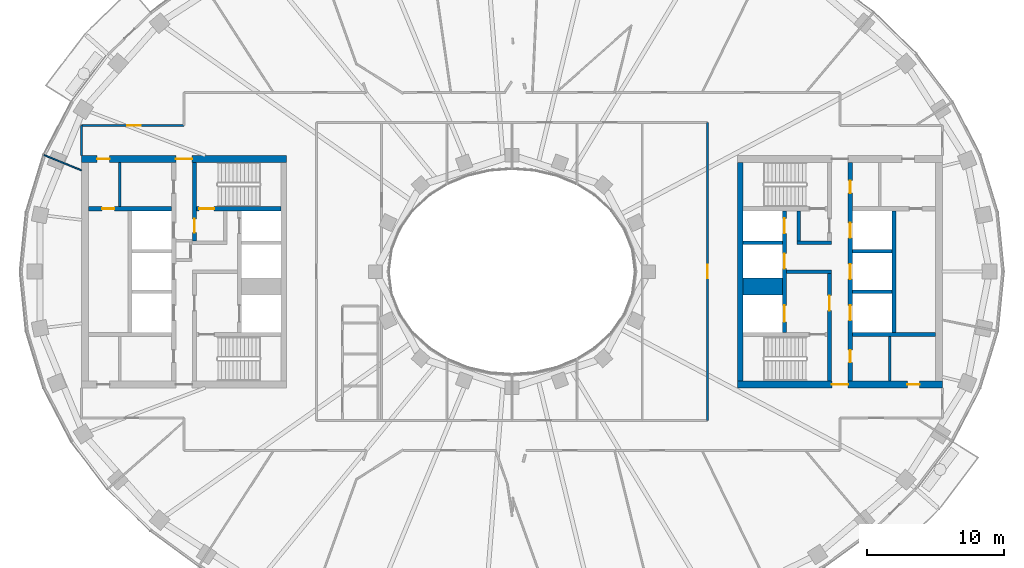
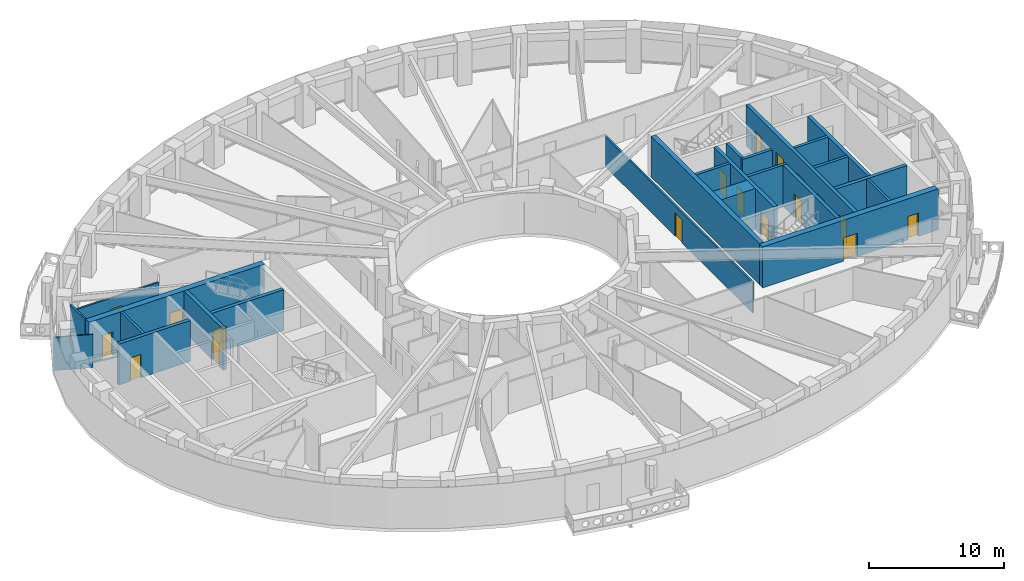
# One storey, part 5 of 16: 24 walls, 18 doors, 18 openings.
"""IFC4 building model written with IfcOpenShell, lengths in metres."""

from ifc_helpers import new_model, si_unit, direction, frame, frame_2d, origin, place, context, subcontext, project, spatial, rectangle, extrude, material, layer, layer_set, type_object, element, fill, save


model = new_model("IFC4")

# Units and contexts
model_context = context("Model", 3, precision=1e-05, world=origin(), true_north=direction((0.0, 1.0)))
body_context = subcontext(model_context, "Body", "Model", "MODEL_VIEW")
ifc_project = project(units=[si_unit("LENGTHUNIT", "METRE"), si_unit("AREAUNIT", "SQUARE_METRE"), si_unit("VOLUMEUNIT", "CUBIC_METRE"), si_unit("PLANEANGLEUNIT", "RADIAN"), si_unit("MASSUNIT", "GRAM", prefix="KILO")], contexts=[model_context])

# Site, building, storey
site_placement = place(None, origin())
site = spatial("IfcSite", under=ifc_project, at=site_placement, CompositionType="ELEMENT")
building_placement = place(site_placement, origin())
building = spatial("IfcBuilding", under=site, at=building_placement, Name="Noorbagh Ring Tower", CompositionType="ELEMENT")
storey_placement = place(building_placement, frame((0.0, 0.0, 237.5)))
storey = spatial("IfcBuildingStorey", under=building, at=storey_placement, Name="L49", CompositionType="ELEMENT", Elevation=237.5)

# Walls
ifc_material_1 = material(Name="Gypsum board on steel studs", Category="steel")
ifc_layer_1 = layer(ifc_material_1, 0.199951171875)
ifc_layer_set_1 = layer_set([ifc_layer_1], Name="Gypsum board on steel studs")
wall_type_1 = type_object("IfcWallType", Name="CORE-PARTITION-200", PredefinedType="PARTITIONING", material=ifc_layer_set_1)
for number, where, z_axis, x_axis, name in (
    (1, (-28.699951171875, 4.75, 0.0), (0.0, 0.0, 1.0), (0.0, 1.0, 0.0), "Core partition W"),
    (2, (27.64990234375, -8.0, 0.0), (0.0, 0.0, 1.0), (0.0, 1.0, 0.0), "Core partition E"),
):
    element("IfcWall", number, at=place(storey_placement, frame(where, z_axis=z_axis, x_axis=x_axis)), inside=storey, type_object=wall_type_1, Name=name, PredefinedType="PARTITIONING", context=body_context, shape_type="SweptSolid", body=[
        extrude(rectangle(XDim=3.25, YDim=0.199951171875, at=frame_2d((1.625, 0.0))), origin(), (0.0, 0.0, 1.0), 3.699951171875),
    ])
ifc_material_2 = material(Name="Concrete C60/75", Category="concrete")
ifc_layer_2 = layer(ifc_material_2, 1.25)
ifc_layer_set_2 = layer_set([ifc_layer_2], Name="Concrete C60/75")
wall_type_2 = type_object("IfcWallType", Name="CORE-WALL-1250-C60-75-EI120", PredefinedType="SHEAR", material=ifc_layer_set_2)
wall_1_placement = place(storey_placement, frame((16.89990234375, -1.074951171875, 0.0), z_axis=(0.0, 0.0, 1.0), x_axis=(1.0, 0.0, 0.0)))
element("IfcWall", 3, at=wall_1_placement, inside=storey, type_object=wall_type_2, Name="Core wall E", PredefinedType="SHEAR", context=body_context, shape_type="SweptSolid", body=[
    extrude(rectangle(XDim=2.900146484375, YDim=1.25, at=frame_2d((1.4501953125, 0.0))), origin(), (0.0, 0.0, 1.0), 3.699951171875),
])
ifc_material_3 = material(Name="Concrete C60/75", Category="concrete")
ifc_layer_3 = layer(ifc_material_3, 0.25)
ifc_layer_set_3 = layer_set([ifc_layer_3], Name="Concrete C60/75")
wall_type_3 = type_object("IfcWallType", Name="CORE-WALL-250-C60-75-EI120", PredefinedType="SHEAR", material=ifc_layer_set_3)
for number, where, z_axis, x_axis, name in (
    (4, (16.89990234375, 2.125, 0.0), (0.0, 0.0, 1.0), (1.0, 0.0, 0.0), "Core wall E"),
    (5, (24.89990234375, -1.47509765625, 0.0), (0.0, 0.0, 1.0), (1.0, 0.0, 0.0), "Core wall E"),
    (6, (24.89990234375, 1.47509765625, 0.0), (0.0, 0.0, 1.0), (1.0, 0.0, 0.0), "Core wall E"),
):
    element("IfcWall", number, at=place(storey_placement, frame(where, z_axis=z_axis, x_axis=x_axis)), inside=storey, type_object=wall_type_3, Name=name, PredefinedType="SHEAR", context=body_context, shape_type="SweptSolid", body=[
        extrude(rectangle(XDim=2.900146484375, YDim=0.25, at=frame_2d((1.4501953125, 0.0))), origin(), (0.0, 0.0, 1.0), 3.699951171875),
    ])
ifc_material_4 = material(Name="Concrete C60/75", Category="concrete")
ifc_layer_4 = layer(ifc_material_4, 0.25)
ifc_layer_set_4 = layer_set([ifc_layer_4], Name="Concrete C60/75")
wall_type_4 = type_object("IfcWallType", Name="CORE-WALL-250-C60-75-EI240", PredefinedType="SHEAR", material=ifc_layer_set_4)
wall_2_placement = place(storey_placement, frame((20.10009765625, 0.0, 0.0), z_axis=(0.0, 0.0, 1.0), x_axis=(1.0, 0.0, 0.0)))
element("IfcWall", 7, at=wall_2_placement, inside=storey, type_object=wall_type_4, Name="Core wall E", PredefinedType="SHEAR", context=body_context, shape_type="SweptSolid", body=[
    extrude(rectangle(XDim=3.27978515625, YDim=0.25, at=frame_2d((1.639892578125, 0.0))), origin(), (0.0, 0.0, 1.0), 3.699951171875),
])
wall_3_placement = place(storey_placement, frame((20.85009765625, 2.125, 0.0), z_axis=(0.0, 0.0, 1.0), x_axis=(1.0, 0.0, 0.0)))
element("IfcWall", 8, at=wall_3_placement, inside=storey, type_object=wall_type_4, Name="Core wall E", PredefinedType="SHEAR", context=body_context, shape_type="SweptSolid", body=[
    extrude(rectangle(XDim=2.52978515625, YDim=0.25, at=frame_2d((1.264892578125, 0.0))), origin(), (0.0, 0.0, 1.0), 3.699951171875),
])
wall_4_placement = place(storey_placement, frame((20.97509765625, 2.25, 0.0), z_axis=(0.0, 0.0, 1.0), x_axis=(0.0, 1.0, 0.0)))
element("IfcWall", 9, at=wall_4_placement, inside=storey, type_object=wall_type_4, Name="Core wall E", PredefinedType="SHEAR", context=body_context, shape_type="SweptSolid", body=[
    extrude(rectangle(XDim=2.199951171875, YDim=0.25, at=frame_2d((1.10009765625, 0.0))), origin(), (0.0, 0.0, 1.0), 3.699951171875),
])
ifc_material_5 = material(Name="Concrete C60/75", Category="concrete")
ifc_layer_5 = layer(ifc_material_5, 0.300048828125)
ifc_layer_set_5 = layer_set([ifc_layer_5], Name="Concrete C60/75")
wall_type_5 = type_object("IfcWallType", Name="CORE-WALL-300-C60-75-EI120", PredefinedType="SHEAR", material=ifc_layer_set_5)
wall_5_placement = place(storey_placement, frame((27.949951171875, -4.449951171875, 0.0), z_axis=(0.0, 0.0, 1.0), x_axis=(0.0, 1.0, 0.0)))
element("IfcWall", 10, at=wall_5_placement, inside=storey, type_object=wall_type_5, Name="Core wall E", PredefinedType="SHEAR", context=body_context, shape_type="SweptSolid", body=[
    extrude(rectangle(XDim=8.89990234375, YDim=0.300048828125, at=frame_2d((4.449951171875, 0.0))), origin(), (0.0, 0.0, 1.0), 3.699951171875),
])

# Wall, openings, doors
wall_6_placement = place(storey_placement, frame((19.949951171875, -4.449951171875, 0.0), z_axis=(0.0, 0.0, 1.0), x_axis=(0.0, 1.0, 0.0)))
wall_6 = element("IfcWall", 11, at=wall_6_placement, inside=storey, type_object=wall_type_5, Name="Core wall E", PredefinedType="SHEAR", context=body_context, shape_type="SweptSolid", body=[
    extrude(rectangle(XDim=8.89990234375, YDim=0.300048828125, at=frame_2d((4.449951171875, 0.0))), origin(), (0.0, 0.0, 1.0), 3.699951171875),
])
opening_1_placement = place(wall_6_placement, frame((0.77490234375, 0.0, 0.0)))
opening_1 = element("IfcOpeningElement", 12, at=opening_1_placement, cuts=wall_6, Name="Opening L49-CE01", PredefinedType="OPENING", context=body_context, shape_type="SweptSolid", body=[
    extrude(rectangle(XDim=1.199951171875, YDim=2.10009765625, at=frame_2d((0.60009765625, 1.050048828125))), frame((0.0, 0.16015625, 0.0), z_axis=(0.0, -1.0, 0.0), x_axis=(1.0, 0.0, 0.0)), (0.0, 0.0, 1.0), 0.320068359375),
])
opening_2_placement = place(wall_6_placement, frame((4.675048828125, 0.0, 0.0)))
opening_2 = element("IfcOpeningElement", 13, at=opening_2_placement, cuts=wall_6, Name="Opening L49-CE02", PredefinedType="OPENING", context=body_context, shape_type="SweptSolid", body=[
    extrude(rectangle(XDim=1.10009765625, YDim=2.10009765625, at=frame_2d((0.550048828125, 1.050048828125))), frame((0.0, 0.16015625, 0.0), z_axis=(0.0, -1.0, 0.0), x_axis=(1.0, 0.0, 0.0)), (0.0, 0.0, 1.0), 0.320068359375),
])
opening_3_placement = place(wall_6_placement, frame((7.25, 0.0, 0.0)))
opening_3 = element("IfcOpeningElement", 14, at=opening_3_placement, cuts=wall_6, Name="Opening L49-CE03", PredefinedType="OPENING", context=body_context, shape_type="SweptSolid", body=[
    extrude(rectangle(XDim=1.10009765625, YDim=2.10009765625, at=frame_2d((0.550048828125, 1.050048828125))), frame((0.0, 0.16015625, 0.0), z_axis=(0.0, -1.0, 0.0), x_axis=(1.0, 0.0, 0.0)), (0.0, 0.0, 1.0), 0.320068359375),
])
ifc_material_6 = material(Name="Steel door leaf", Category="steel")
door_type_1 = type_object("IfcDoorType", Name="CORE-DOOR-LD", OperationType="DOUBLE_DOOR_SLIDING", PredefinedType="DOOR", material=ifc_material_6)
door_1_placement = place(opening_2_placement, origin())
door_1 = element("IfcDoor", 15, at=door_1_placement, inside=storey, type_object=door_type_1, Name="Landing door HR7 L49-CE02", OperationType="DOUBLE_DOOR_SLIDING", OverallHeight=2.10009765625, OverallWidth=1.10009765625, PredefinedType="DOOR", context=body_context, shape_type="SweptSolid", body=[
    extrude(rectangle(XDim=1.10009765625, YDim=2.10009765625, at=frame_2d((0.550048828125, 1.050048828125))), frame((0.0, 0.02490234375, 0.0), z_axis=(0.0, -1.0, 0.0), x_axis=(1.0, 0.0, 0.0)), (0.0, 0.0, 1.0), 0.050048828125),
])
fill(opening_2, door_1)
door_2_placement = place(opening_3_placement, origin())
door_2 = element("IfcDoor", 16, at=door_2_placement, inside=storey, type_object=door_type_1, Name="Landing door HR8 L49-CE03", OperationType="DOUBLE_DOOR_SLIDING", OverallHeight=2.10009765625, OverallWidth=1.10009765625, PredefinedType="DOOR", context=body_context, shape_type="SweptSolid", body=[
    extrude(rectangle(XDim=1.10009765625, YDim=2.10009765625, at=frame_2d((0.550048828125, 1.050048828125))), frame((0.0, 0.02490234375, 0.0), z_axis=(0.0, -1.0, 0.0), x_axis=(1.0, 0.0, 0.0)), (0.0, 0.0, 1.0), 0.050048828125),
])
fill(opening_3, door_2)
ifc_material_7 = material(Name="Steel door leaf", Category="steel")
door_type_2 = type_object("IfcDoorType", Name="CORE-DOOR-LDW", OperationType="DOUBLE_DOOR_SLIDING", PredefinedType="DOOR", material=ifc_material_7)
door_3_placement = place(opening_1_placement, origin())
door_3 = element("IfcDoor", 17, at=door_3_placement, inside=storey, type_object=door_type_2, Name="Landing door FF2 L49-CE01", OperationType="DOUBLE_DOOR_SLIDING", OverallHeight=2.10009765625, OverallWidth=1.199951171875, PredefinedType="DOOR", context=body_context, shape_type="SweptSolid", body=[
    extrude(rectangle(XDim=1.199951171875, YDim=2.10009765625, at=frame_2d((0.60009765625, 1.050048828125))), frame((0.0, 0.02490234375, 0.0), z_axis=(0.0, -1.0, 0.0), x_axis=(1.0, 0.0, 0.0)), (0.0, 0.0, 1.0), 0.050048828125),
])
fill(opening_1, door_3)

wall_7_placement = place(storey_placement, frame((24.75, -8.0, 0.0), z_axis=(0.0, 0.0, 1.0), x_axis=(0.0, 1.0, 0.0)))
wall_7 = element("IfcWall", 18, at=wall_7_placement, inside=storey, type_object=wall_type_5, Name="Core wall E", PredefinedType="SHEAR", context=body_context, shape_type="SweptSolid", body=[
    extrude(rectangle(XDim=16.0, YDim=0.300048828125, at=frame_2d((8.0, 0.0))), origin(), (0.0, 0.0, 1.0), 3.699951171875),
])
opening_4_placement = place(wall_7_placement, frame((4.425048828125, 0.0, 0.0)))
opening_4 = element("IfcOpeningElement", 19, at=opening_4_placement, cuts=wall_7, Name="Opening L49-CE04", PredefinedType="OPENING", context=body_context, shape_type="SweptSolid", body=[
    extrude(rectangle(XDim=1.10009765625, YDim=2.10009765625, at=frame_2d((0.550048828125, 1.050048828125))), frame((0.0, 0.16015625, 0.0), z_axis=(0.0, -1.0, 0.0), x_axis=(1.0, 0.0, 0.0)), (0.0, 0.0, 1.0), 0.320068359375),
])
opening_5_placement = place(wall_7_placement, frame((7.449951171875, 0.0, 0.0)))
opening_5 = element("IfcOpeningElement", 20, at=opening_5_placement, cuts=wall_7, Name="Opening L49-CE05", PredefinedType="OPENING", context=body_context, shape_type="SweptSolid", body=[
    extrude(rectangle(XDim=1.10009765625, YDim=2.10009765625, at=frame_2d((0.550048828125, 1.050048828125))), frame((0.0, 0.16015625, 0.0), z_axis=(0.0, -1.0, 0.0), x_axis=(1.0, 0.0, 0.0)), (0.0, 0.0, 1.0), 0.320068359375),
])
opening_6_placement = place(wall_7_placement, frame((10.47509765625, 0.0, 0.0)))
opening_6 = element("IfcOpeningElement", 21, at=opening_6_placement, cuts=wall_7, Name="Opening L49-CE06", PredefinedType="OPENING", context=body_context, shape_type="SweptSolid", body=[
    extrude(rectangle(XDim=1.10009765625, YDim=2.10009765625, at=frame_2d((0.550048828125, 1.050048828125))), frame((0.0, 0.16015625, 0.0), z_axis=(0.0, -1.0, 0.0), x_axis=(1.0, 0.0, 0.0)), (0.0, 0.0, 1.0), 0.320068359375),
])
opening_7_placement = place(wall_7_placement, frame((13.75, 0.0, 0.0)))
opening_7 = element("IfcOpeningElement", 22, at=opening_7_placement, cuts=wall_7, Name="Opening L49-CE13", PredefinedType="OPENING", context=body_context, shape_type="SweptSolid", body=[
    extrude(rectangle(XDim=0.89990234375, YDim=2.10009765625, at=frame_2d((0.449951171875, 1.050048828125))), frame((0.0, 0.16015625, 0.0), z_axis=(0.0, -1.0, 0.0), x_axis=(1.0, 0.0, 0.0)), (0.0, 0.0, 1.0), 0.320068359375),
])
opening_8_placement = place(wall_7_placement, frame((1.35009765625, 0.0, 0.0)))
opening_8 = element("IfcOpeningElement", 23, at=opening_8_placement, cuts=wall_7, Name="Opening L49-CE15", PredefinedType="OPENING", context=body_context, shape_type="SweptSolid", body=[
    extrude(rectangle(XDim=0.89990234375, YDim=2.10009765625, at=frame_2d((0.449951171875, 1.050048828125))), frame((0.0, 0.16015625, 0.0), z_axis=(0.0, -1.0, 0.0), x_axis=(1.0, 0.0, 0.0)), (0.0, 0.0, 1.0), 0.320068359375),
])
ifc_material_8 = material(Name="Steel door leaf", Category="steel")
door_type_3 = type_object("IfcDoorType", Name="CORE-DOOR-DROOM", OperationType="SINGLE_SWING_LEFT", PredefinedType="DOOR", material=ifc_material_8)
door_4_placement = place(opening_7_placement, origin())
door_4 = element("IfcDoor", 24, at=door_4_placement, inside=storey, type_object=door_type_3, Name="Core room door L49-CE13", OperationType="SINGLE_SWING_LEFT", OverallHeight=2.10009765625, OverallWidth=0.89990234375, PredefinedType="DOOR", context=body_context, shape_type="SweptSolid", body=[
    extrude(rectangle(XDim=0.89990234375, YDim=2.10009765625, at=frame_2d((0.449951171875, 1.050048828125))), frame((0.0, 0.02490234375, 0.0), z_axis=(0.0, -1.0, 0.0), x_axis=(1.0, 0.0, 0.0)), (0.0, 0.0, 1.0), 0.050048828125),
])
fill(opening_7, door_4)
door_5_placement = place(opening_8_placement, origin())
door_5 = element("IfcDoor", 25, at=door_5_placement, inside=storey, type_object=door_type_3, Name="Core room door L49-CE15", OperationType="SINGLE_SWING_RIGHT", OverallHeight=2.10009765625, OverallWidth=0.89990234375, PredefinedType="DOOR", context=body_context, shape_type="SweptSolid", body=[
    extrude(rectangle(XDim=0.89990234375, YDim=2.10009765625, at=frame_2d((0.449951171875, 1.050048828125))), frame((0.0, 0.02490234375, 0.0), z_axis=(0.0, -1.0, 0.0), x_axis=(1.0, 0.0, 0.0)), (0.0, 0.0, 1.0), 0.050048828125),
])
fill(opening_8, door_5)
door_6_placement = place(opening_4_placement, origin())
door_6 = element("IfcDoor", 26, at=door_6_placement, inside=storey, type_object=door_type_1, Name="Landing door HR9 L49-CE04", OperationType="DOUBLE_DOOR_SLIDING", OverallHeight=2.10009765625, OverallWidth=1.10009765625, PredefinedType="DOOR", context=body_context, shape_type="SweptSolid", body=[
    extrude(rectangle(XDim=1.10009765625, YDim=2.10009765625, at=frame_2d((0.550048828125, 1.050048828125))), frame((0.0, 0.02490234375, 0.0), z_axis=(0.0, -1.0, 0.0), x_axis=(1.0, 0.0, 0.0)), (0.0, 0.0, 1.0), 0.050048828125),
])
fill(opening_4, door_6)
door_7_placement = place(opening_5_placement, origin())
door_7 = element("IfcDoor", 27, at=door_7_placement, inside=storey, type_object=door_type_1, Name="Landing door HR10 L49-CE05", OperationType="DOUBLE_DOOR_SLIDING", OverallHeight=2.10009765625, OverallWidth=1.10009765625, PredefinedType="DOOR", context=body_context, shape_type="SweptSolid", body=[
    extrude(rectangle(XDim=1.10009765625, YDim=2.10009765625, at=frame_2d((0.550048828125, 1.050048828125))), frame((0.0, 0.02490234375, 0.0), z_axis=(0.0, -1.0, 0.0), x_axis=(1.0, 0.0, 0.0)), (0.0, 0.0, 1.0), 0.050048828125),
])
fill(opening_5, door_7)
door_8_placement = place(opening_6_placement, origin())
door_8 = element("IfcDoor", 28, at=door_8_placement, inside=storey, type_object=door_type_1, Name="Landing door HR11 L49-CE06", OperationType="DOUBLE_DOOR_SLIDING", OverallHeight=2.10009765625, OverallWidth=1.10009765625, PredefinedType="DOOR", context=body_context, shape_type="SweptSolid", body=[
    extrude(rectangle(XDim=1.10009765625, YDim=2.10009765625, at=frame_2d((0.550048828125, 1.050048828125))), frame((0.0, 0.02490234375, 0.0), z_axis=(0.0, -1.0, 0.0), x_axis=(1.0, 0.0, 0.0)), (0.0, 0.0, 1.0), 0.050048828125),
])
fill(opening_6, door_8)

# Wall, opening, door
ifc_material_9 = material(Name="Concrete C60/75", Category="concrete")
ifc_layer_6 = layer(ifc_material_9, 0.300048828125)
ifc_layer_set_6 = layer_set([ifc_layer_6], Name="Concrete C60/75")
wall_type_6 = type_object("IfcWallType", Name="CORE-WALL-300-C60-75-EI240", PredefinedType="SHEAR", material=ifc_layer_set_6)
wall_8_placement = place(storey_placement, frame((-24.89990234375, 4.60009765625, 0.0), z_axis=(0.0, 0.0, 1.0), x_axis=(-1.0, 0.0, 0.0)))
wall_8 = element("IfcWall", 29, at=wall_8_placement, inside=storey, type_object=wall_type_6, Name="Core wall W", PredefinedType="SHEAR", context=body_context, shape_type="SweptSolid", body=[
    extrude(rectangle(XDim=6.10009765625, YDim=0.300048828125, at=frame_2d((3.050048828125, 0.0))), origin(), (0.0, 0.0, 1.0), 3.699951171875),
])
opening_9_placement = place(wall_8_placement, frame((4.199951171875, 0.0, 0.0)))
opening_9 = element("IfcOpeningElement", 30, at=opening_9_placement, cuts=wall_8, Name="Opening L49-CW17", PredefinedType="OPENING", context=body_context, shape_type="SweptSolid", body=[
    extrude(rectangle(XDim=0.89990234375, YDim=2.10009765625, at=frame_2d((0.449951171875, 1.050048828125))), frame((0.0, 0.16015625, 0.0), z_axis=(0.0, -1.0, 0.0), x_axis=(1.0, 0.0, 0.0)), (0.0, 0.0, 1.0), 0.320068359375),
])
door_9_placement = place(opening_9_placement, origin())
door_9 = element("IfcDoor", 31, at=door_9_placement, inside=storey, type_object=door_type_3, Name="Core room door L49-CW17", OperationType="SINGLE_SWING_LEFT", OverallHeight=2.10009765625, OverallWidth=0.89990234375, PredefinedType="DOOR", context=body_context, shape_type="SweptSolid", body=[
    extrude(rectangle(XDim=0.89990234375, YDim=2.10009765625, at=frame_2d((0.449951171875, 1.050048828125))), frame((0.0, 0.02490234375, 0.0), z_axis=(0.0, -1.0, 0.0), x_axis=(1.0, 0.0, 0.0)), (0.0, 0.0, 1.0), 0.050048828125),
])
fill(opening_9, door_9)

wall_9_placement = place(storey_placement, frame((-23.22998046875, 2.25, 0.0), z_axis=(0.0, 0.0, 1.0), x_axis=(0.0, 1.0, 0.0)))
wall_9 = element("IfcWall", 32, at=wall_9_placement, inside=storey, type_object=wall_type_6, Name="Core wall W", PredefinedType="SHEAR", context=body_context, shape_type="SweptSolid", body=[
    extrude(rectangle(XDim=5.75, YDim=0.300048828125, at=frame_2d((2.875, 0.0))), origin(), (0.0, 0.0, 1.0), 3.699951171875),
])
opening_10_placement = place(wall_9_placement, frame((0.60009765625, 0.0, 0.0)))
opening_10 = element("IfcOpeningElement", 33, at=opening_10_placement, cuts=wall_9, Name="Opening L49-CW09", PredefinedType="OPENING", context=body_context, shape_type="SweptSolid", body=[
    extrude(rectangle(XDim=1.0, YDim=2.10009765625, at=frame_2d((0.5, 1.050048828125))), frame((0.0, 0.16015625, 0.0), z_axis=(0.0, -1.0, 0.0), x_axis=(1.0, 0.0, 0.0)), (0.0, 0.0, 1.0), 0.320068359375),
])
ifc_material_10 = material(Name="Steel door leaf", Category="steel")
door_type_4 = type_object("IfcDoorType", Name="CORE-DOOR-DVEST", OperationType="SINGLE_SWING_LEFT", PredefinedType="DOOR", material=ifc_material_10)
door_10_placement = place(opening_10_placement, origin())
door_10 = element("IfcDoor", 34, at=door_10_placement, inside=storey, type_object=door_type_4, Name="Stair vestibule door L49-CW09", OperationType="SINGLE_SWING_LEFT", OverallHeight=2.10009765625, OverallWidth=1.0, PredefinedType="DOOR", context=body_context, shape_type="SweptSolid", body=[
    extrude(rectangle(XDim=1.0, YDim=2.10009765625, at=frame_2d((0.5, 1.050048828125))), frame((0.0, 0.02490234375, 0.0), z_axis=(0.0, -1.0, 0.0), x_axis=(1.0, 0.0, 0.0)), (0.0, 0.0, 1.0), 0.050048828125),
])
fill(opening_10, door_10)

wall_10_placement = place(storey_placement, frame((-16.89990234375, 4.60009765625, 0.0), z_axis=(0.0, 0.0, 1.0), x_axis=(-1.0, 0.0, 0.0)))
wall_10 = element("IfcWall", 35, at=wall_10_placement, inside=storey, type_object=wall_type_6, Name="Core wall W", PredefinedType="SHEAR", context=body_context, shape_type="SweptSolid", body=[
    extrude(rectangle(XDim=6.18017578125, YDim=0.300048828125, at=frame_2d((3.090087890625, 0.0))), origin(), (0.0, 0.0, 1.0), 3.699951171875),
])
opening_11_placement = place(wall_10_placement, frame((4.89990234375, 0.0, 0.0)))
opening_11 = element("IfcOpeningElement", 36, at=opening_11_placement, cuts=wall_10, Name="Opening L49-CW06", PredefinedType="OPENING", context=body_context, shape_type="SweptSolid", body=[
    extrude(rectangle(XDim=1.10009765625, YDim=2.10009765625, at=frame_2d((0.550048828125, 1.050048828125))), frame((0.0, 0.16015625, 0.0), z_axis=(0.0, -1.0, 0.0), x_axis=(1.0, 0.0, 0.0)), (0.0, 0.0, 1.0), 0.320068359375),
])
ifc_material_11 = material(Name="Steel door leaf", Category="steel")
door_type_5 = type_object("IfcDoorType", Name="CORE-DOOR-DSTAIR", OperationType="SINGLE_SWING_LEFT", PredefinedType="DOOR", material=ifc_material_11)
door_11_placement = place(opening_11_placement, origin())
door_11 = element("IfcDoor", 37, at=door_11_placement, inside=storey, type_object=door_type_5, Name="Stair door ST1 L49-CW06", OperationType="SINGLE_SWING_RIGHT", OverallHeight=2.10009765625, OverallWidth=1.10009765625, PredefinedType="DOOR", context=body_context, shape_type="SweptSolid", body=[
    extrude(rectangle(XDim=1.10009765625, YDim=2.10009765625, at=frame_2d((0.550048828125, 1.050048828125))), frame((0.0, 0.02490234375, 0.0), z_axis=(0.0, -1.0, 0.0), x_axis=(1.0, 0.0, 0.0)), (0.0, 0.0, 1.0), 0.050048828125),
])
fill(opening_11, door_11)

# Wall
wall_11_placement = place(storey_placement, frame((24.89990234375, -4.60009765625, 0.0), z_axis=(0.0, 0.0, 1.0), x_axis=(1.0, 0.0, 0.0)))
element("IfcWall", 38, at=wall_11_placement, inside=storey, type_object=wall_type_6, Name="Core wall E", PredefinedType="SHEAR", context=body_context, shape_type="SweptSolid", body=[
    extrude(rectangle(XDim=6.10009765625, YDim=0.300048828125, at=frame_2d((3.050048828125, 0.0))), origin(), (0.0, 0.0, 1.0), 3.699951171875),
])

# Wall, opening, door
wall_12_placement = place(storey_placement, frame((23.22998046875, -8.0, 0.0), z_axis=(0.0, 0.0, 1.0), x_axis=(0.0, 1.0, 0.0)))
wall_12 = element("IfcWall", 39, at=wall_12_placement, inside=storey, type_object=wall_type_6, Name="Core wall E", PredefinedType="SHEAR", context=body_context, shape_type="SweptSolid", body=[
    extrude(rectangle(XDim=7.875, YDim=0.300048828125, at=frame_2d((3.9375, 0.0))), origin(), (0.0, 0.0, 1.0), 3.699951171875),
])
opening_12_placement = place(wall_12_placement, frame((5.14990234375, 0.0, 0.0)))
opening_12 = element("IfcOpeningElement", 40, at=opening_12_placement, cuts=wall_12, Name="Opening L49-CE09", PredefinedType="OPENING", context=body_context, shape_type="SweptSolid", body=[
    extrude(rectangle(XDim=1.10009765625, YDim=2.10009765625, at=frame_2d((0.550048828125, 1.050048828125))), frame((0.0, 0.16015625, 0.0), z_axis=(0.0, -1.0, 0.0), x_axis=(1.0, 0.0, 0.0)), (0.0, 0.0, 1.0), 0.320068359375),
])
ifc_material_12 = material(Name="Steel door leaf", Category="steel")
door_type_6 = type_object("IfcDoorType", Name="CORE-DOOR-DFF", OperationType="SINGLE_SWING_LEFT", PredefinedType="DOOR", material=ifc_material_12)
door_12_placement = place(opening_12_placement, origin())
door_12 = element("IfcDoor", 41, at=door_12_placement, inside=storey, type_object=door_type_6, Name="Firefighting lobby door L49-CE09", OperationType="SINGLE_SWING_RIGHT", OverallHeight=2.10009765625, OverallWidth=1.10009765625, PredefinedType="DOOR", context=body_context, shape_type="SweptSolid", body=[
    extrude(rectangle(XDim=1.10009765625, YDim=2.10009765625, at=frame_2d((0.550048828125, 1.050048828125))), frame((0.0, 0.02490234375, 0.0), z_axis=(0.0, -1.0, 0.0), x_axis=(1.0, 0.0, 0.0)), (0.0, 0.0, 1.0), 0.050048828125),
])
fill(opening_12, door_12)

# Wall
ifc_material_13 = material(Name="Concrete C60/75", Category="concrete")
ifc_layer_7 = layer(ifc_material_13, 0.39990234375)
ifc_layer_set_7 = layer_set([ifc_layer_7], Name="Concrete C60/75")
wall_type_7 = type_object("IfcWallType", Name="CORE-WALL-400-C60-75-EI240", PredefinedType="SHEAR", material=ifc_layer_set_7)
wall_13_placement = place(storey_placement, frame((16.699951171875, -8.0, 0.0), z_axis=(0.0, 0.0, 1.0), x_axis=(0.0, 1.0, 0.0)))
element("IfcWall", 42, at=wall_13_placement, inside=storey, type_object=wall_type_7, Name="Core wall E", PredefinedType="SHEAR", context=body_context, shape_type="SweptSolid", body=[
    extrude(rectangle(XDim=16.0, YDim=0.39990234375, at=frame_2d((8.0, 0.0))), origin(), (0.0, 0.0, 1.0), 3.699951171875),
])

# Wall, openings, doors
ifc_material_14 = material(Name="Concrete C60/75", Category="concrete")
ifc_layer_8 = layer(ifc_material_14, 0.5)
ifc_layer_set_8 = layer_set([ifc_layer_8], Name="Concrete C60/75")
wall_type_8 = type_object("IfcWallType", Name="CORE-WALL-500-C60-75-EI240", PredefinedType="SHEAR", material=ifc_layer_set_8)
wall_14_placement = place(storey_placement, frame((-16.5, 8.25, 0.0), z_axis=(0.0, 0.0, 1.0), x_axis=(-1.0, 0.0, 0.0)))
wall_14 = element("IfcWall", 43, at=wall_14_placement, inside=storey, type_object=wall_type_8, Name="Core wall W", PredefinedType="SHEAR", context=body_context, shape_type="SweptSolid", body=[
    extrude(rectangle(XDim=15.0, YDim=0.5, at=frame_2d((7.5, 0.0))), origin(), (0.0, 0.0, 1.0), 3.699951171875),
])
opening_13_placement = place(wall_14_placement, frame((6.89990234375, 0.0, 0.0)))
opening_13 = element("IfcOpeningElement", 44, at=opening_13_placement, cuts=wall_14, Name="Opening L49-CW10", PredefinedType="OPENING", context=body_context, shape_type="SweptSolid", body=[
    extrude(rectangle(XDim=1.199951171875, YDim=2.10009765625, at=frame_2d((0.60009765625, 1.050048828125))), frame((0.0, 0.260009765625, 0.0), z_axis=(0.0, -1.0, 0.0), x_axis=(1.0, 0.0, 0.0)), (0.0, 0.0, 1.0), 0.52001953125),
])
opening_14_placement = place(wall_14_placement, frame((12.949951171875, 0.0, 0.0)))
opening_14 = element("IfcOpeningElement", 45, at=opening_14_placement, cuts=wall_14, Name="Opening L49-CW13", PredefinedType="OPENING", context=body_context, shape_type="SweptSolid", body=[
    extrude(rectangle(XDim=0.89990234375, YDim=2.10009765625, at=frame_2d((0.449951171875, 1.050048828125))), frame((0.0, 0.260009765625, 0.0), z_axis=(0.0, -1.0, 0.0), x_axis=(1.0, 0.0, 0.0)), (0.0, 0.0, 1.0), 0.52001953125),
])
door_13_placement = place(opening_14_placement, origin())
door_13 = element("IfcDoor", 46, at=door_13_placement, inside=storey, type_object=door_type_3, Name="Core room door L49-CW13", OperationType="SINGLE_SWING_RIGHT", OverallHeight=2.10009765625, OverallWidth=0.89990234375, PredefinedType="DOOR", context=body_context, shape_type="SweptSolid", body=[
    extrude(rectangle(XDim=0.89990234375, YDim=2.10009765625, at=frame_2d((0.449951171875, 1.050048828125))), frame((0.0, 0.02490234375, 0.0), z_axis=(0.0, -1.0, 0.0), x_axis=(1.0, 0.0, 0.0)), (0.0, 0.0, 1.0), 0.050048828125),
])
fill(opening_14, door_13)
ifc_material_15 = material(Name="Steel door leaf", Category="steel")
door_type_7 = type_object("IfcDoorType", Name="CORE-DOOR-PORT", OperationType="DOUBLE_DOOR_DOUBLE_SWING", PredefinedType="DOOR", material=ifc_material_15)
door_14_placement = place(opening_13_placement, origin())
door_14 = element("IfcDoor", 47, at=door_14_placement, inside=storey, type_object=door_type_7, Name="Core entrance door L49-CW10", OperationType="DOUBLE_DOOR_DOUBLE_SWING", OverallHeight=2.10009765625, OverallWidth=1.199951171875, PredefinedType="DOOR", context=body_context, shape_type="SweptSolid", body=[
    extrude(rectangle(XDim=1.199951171875, YDim=2.10009765625, at=frame_2d((0.60009765625, 1.050048828125))), frame((0.0, 0.02490234375, 0.0), z_axis=(0.0, -1.0, 0.0), x_axis=(1.0, 0.0, 0.0)), (0.0, 0.0, 1.0), 0.050048828125),
])
fill(opening_13, door_14)

wall_15_placement = place(storey_placement, frame((16.5, -8.25, 0.0), z_axis=(0.0, 0.0, 1.0), x_axis=(1.0, 0.0, 0.0)))
wall_15 = element("IfcWall", 48, at=wall_15_placement, inside=storey, type_object=wall_type_8, Name="Core wall E", PredefinedType="SHEAR", context=body_context, shape_type="SweptSolid", body=[
    extrude(rectangle(XDim=15.0, YDim=0.5, at=frame_2d((7.5, 0.0))), origin(), (0.0, 0.0, 1.0), 3.699951171875),
])
opening_15_placement = place(wall_15_placement, frame((6.89990234375, 0.0, 0.0)))
opening_15 = element("IfcOpeningElement", 49, at=opening_15_placement, cuts=wall_15, Name="Opening L49-CE12", PredefinedType="OPENING", context=body_context, shape_type="SweptSolid", body=[
    extrude(rectangle(XDim=1.199951171875, YDim=2.10009765625, at=frame_2d((0.60009765625, 1.050048828125))), frame((0.0, 0.260009765625, 0.0), z_axis=(0.0, -1.0, 0.0), x_axis=(1.0, 0.0, 0.0)), (0.0, 0.0, 1.0), 0.52001953125),
])
opening_16_placement = place(wall_15_placement, frame((12.425048828125, 0.0, 0.0)))
opening_16 = element("IfcOpeningElement", 50, at=opening_16_placement, cuts=wall_15, Name="Opening L49-CE16", PredefinedType="OPENING", context=body_context, shape_type="SweptSolid", body=[
    extrude(rectangle(XDim=0.89990234375, YDim=2.10009765625, at=frame_2d((0.449951171875, 1.050048828125))), frame((0.0, 0.260009765625, 0.0), z_axis=(0.0, -1.0, 0.0), x_axis=(1.0, 0.0, 0.0)), (0.0, 0.0, 1.0), 0.52001953125),
])
door_15_placement = place(opening_16_placement, origin())
door_15 = element("IfcDoor", 51, at=door_15_placement, inside=storey, type_object=door_type_3, Name="Core room door L49-CE16", OperationType="SINGLE_SWING_RIGHT", OverallHeight=2.10009765625, OverallWidth=0.89990234375, PredefinedType="DOOR", context=body_context, shape_type="SweptSolid", body=[
    extrude(rectangle(XDim=0.89990234375, YDim=2.10009765625, at=frame_2d((0.449951171875, 1.050048828125))), frame((0.0, 0.02490234375, 0.0), z_axis=(0.0, -1.0, 0.0), x_axis=(1.0, 0.0, 0.0)), (0.0, 0.0, 1.0), 0.050048828125),
])
fill(opening_16, door_15)
door_16_placement = place(opening_15_placement, origin())
door_16 = element("IfcDoor", 52, at=door_16_placement, inside=storey, type_object=door_type_7, Name="Core entrance door L49-CE12", OperationType="DOUBLE_DOOR_DOUBLE_SWING", OverallHeight=2.10009765625, OverallWidth=1.199951171875, PredefinedType="DOOR", context=body_context, shape_type="SweptSolid", body=[
    extrude(rectangle(XDim=1.199951171875, YDim=2.10009765625, at=frame_2d((0.60009765625, 1.050048828125))), frame((0.0, 0.02490234375, 0.0), z_axis=(0.0, -1.0, 0.0), x_axis=(1.0, 0.0, 0.0)), (0.0, 0.0, 1.0), 0.050048828125),
])
fill(opening_15, door_16)

# Wall
ifc_material_16 = material(Name="Gypsum board on steel studs", Category="steel")
ifc_layer_9 = layer(ifc_material_16, 0.14990234375)
ifc_layer_set_9 = layer_set([ifc_layer_9], Name="Gypsum board on steel studs")
wall_type_9 = type_object("IfcWallType", Name="CORRIDOR PARTITION 150 EI 30", PredefinedType="PARTITIONING", material=ifc_layer_set_9)
wall_16_placement = place(storey_placement, frame((-31.5, 8.5, 0.0), z_axis=(0.0, 0.0, 1.0), x_axis=(0.0, 1.0, 0.0)))
element("IfcWall", 53, at=wall_16_placement, inside=storey, type_object=wall_type_9, Name="L49/wall/P04", PredefinedType="PARTITIONING", context=body_context, shape_type="SweptSolid", body=[
    extrude(rectangle(XDim=2.199951171875, YDim=0.14990234375, at=frame_2d((1.10009765625, 0.0))), origin(), (0.0, 0.0, 1.0), 3.699951171875),
])

# Wall, opening, door
wall_17_placement = place(storey_placement, frame((-31.5, 10.699951171875, 0.0), z_axis=(0.0, 0.0, 1.0), x_axis=(1.0, 0.0, 0.0)))
wall_17 = element("IfcWall", 54, at=wall_17_placement, inside=storey, type_object=wall_type_9, Name="L49/wall/P05", PredefinedType="PARTITIONING", context=body_context, shape_type="SweptSolid", body=[
    extrude(rectangle(XDim=7.5, YDim=0.14990234375, at=frame_2d((3.75, 0.0))), origin(), (0.0, 0.0, 1.0), 3.10009765625),
])
opening_17_placement = place(wall_17_placement, frame((3.35009765625, 0.0, 0.0)))
opening_17 = element("IfcOpeningElement", 55, at=opening_17_placement, cuts=wall_17, Name="Opening D1", PredefinedType="OPENING", context=body_context, shape_type="SweptSolid", body=[
    extrude(rectangle(XDim=1.0, YDim=2.10009765625, at=frame_2d((0.5, 1.050048828125))), frame((0.0, 0.0849609375, 0.0), z_axis=(0.0, -1.0, 0.0), x_axis=(1.0, 0.0, 0.0)), (0.0, 0.0, 1.0), 0.169921875),
])
ifc_material_17 = material(Name="Timber, painted", Category="wood")
door_type_8 = type_object("IfcDoorType", Name="DOOR 1000 X 2100 FD30", OperationType="SINGLE_SWING_LEFT", PredefinedType="DOOR", material=ifc_material_17)
door_17_placement = place(opening_17_placement, origin())
door_17 = element("IfcDoor", 56, at=door_17_placement, inside=storey, type_object=door_type_8, Name="L49-D07", OperationType="SINGLE_SWING_LEFT", OverallHeight=2.10009765625, OverallWidth=1.0, PredefinedType="DOOR", context=body_context, shape_type="SweptSolid", body=[
    extrude(rectangle(XDim=1.0, YDim=2.10009765625, at=frame_2d((0.5, 1.050048828125))), frame((0.0, 0.02490234375, 0.0), z_axis=(0.0, -1.0, 0.0), x_axis=(1.0, 0.0, 0.0)), (0.0, 0.0, 1.0), 0.050048828125),
])
fill(opening_17, door_17)

wall_18_placement = place(storey_placement, frame((14.300048828125, -10.89990234375, 0.0), z_axis=(0.0, 0.0, 1.0), x_axis=(0.0, 1.0, 0.0)))
wall_18 = element("IfcWall", 57, at=wall_18_placement, inside=storey, type_object=wall_type_9, Name="L49/wall/P65", PredefinedType="PARTITIONING", context=body_context, shape_type="SweptSolid", body=[
    extrude(rectangle(XDim=21.7998046875, YDim=0.14990234375, at=frame_2d((10.89990234375, 0.0))), origin(), (0.0, 0.0, 1.0), 2.75),
])
opening_18_placement = place(wall_18_placement, frame((10.39990234375, 0.0, 0.0)))
opening_18 = element("IfcOpeningElement", 58, at=opening_18_placement, cuts=wall_18, Name="Opening D1", PredefinedType="OPENING", context=body_context, shape_type="SweptSolid", body=[
    extrude(rectangle(XDim=1.0, YDim=2.10009765625, at=frame_2d((0.5, 1.050048828125))), frame((0.0, 0.0849609375, 0.0), z_axis=(0.0, -1.0, 0.0), x_axis=(1.0, 0.0, 0.0)), (0.0, 0.0, 1.0), 0.169921875),
])
door_18_placement = place(opening_18_placement, origin())
door_18 = element("IfcDoor", 59, at=door_18_placement, inside=storey, type_object=door_type_8, Name="L49-D30", OperationType="SINGLE_SWING_RIGHT", OverallHeight=2.10009765625, OverallWidth=1.0, PredefinedType="DOOR", context=body_context, shape_type="SweptSolid", body=[
    extrude(rectangle(XDim=1.0, YDim=2.10009765625, at=frame_2d((0.5, 1.050048828125))), frame((0.0, 0.02490234375, 0.0), z_axis=(0.0, -1.0, 0.0), x_axis=(1.0, 0.0, 0.0)), (0.0, 0.0, 1.0), 0.050048828125),
])
fill(opening_18, door_18)

# Wall
ifc_material_18 = material(Name="Gypsum board on steel studs", Category="steel")
ifc_layer_10 = layer(ifc_material_18, 0.10009765625)
ifc_layer_set_10 = layer_set([ifc_layer_10], Name="Gypsum board on steel studs")
wall_type_10 = type_object("IfcWallType", Name="PARTITION 100 GYPSUM", PredefinedType="PARTITIONING", material=ifc_layer_set_10)
wall_19_placement = place(storey_placement, frame((-34.23388671875, 8.530029296875, 0.0), z_axis=(0.0, 0.0, 1.0), x_axis=(0.925344112436, -0.379128307542, 0.0)))
element("IfcWall", 60, at=wall_19_placement, inside=storey, type_object=wall_type_10, Name="L49/wall/P01", PredefinedType="PARTITIONING", context=body_context, shape_type="SweptSolid", body=[
    extrude(rectangle(XDim=2.954345703125, YDim=0.10009765625, at=frame_2d((1.47705078125, 0.0))), origin(), (0.0, 0.0, 1.0), 3.0),
])

save(model, "model.ifc")
